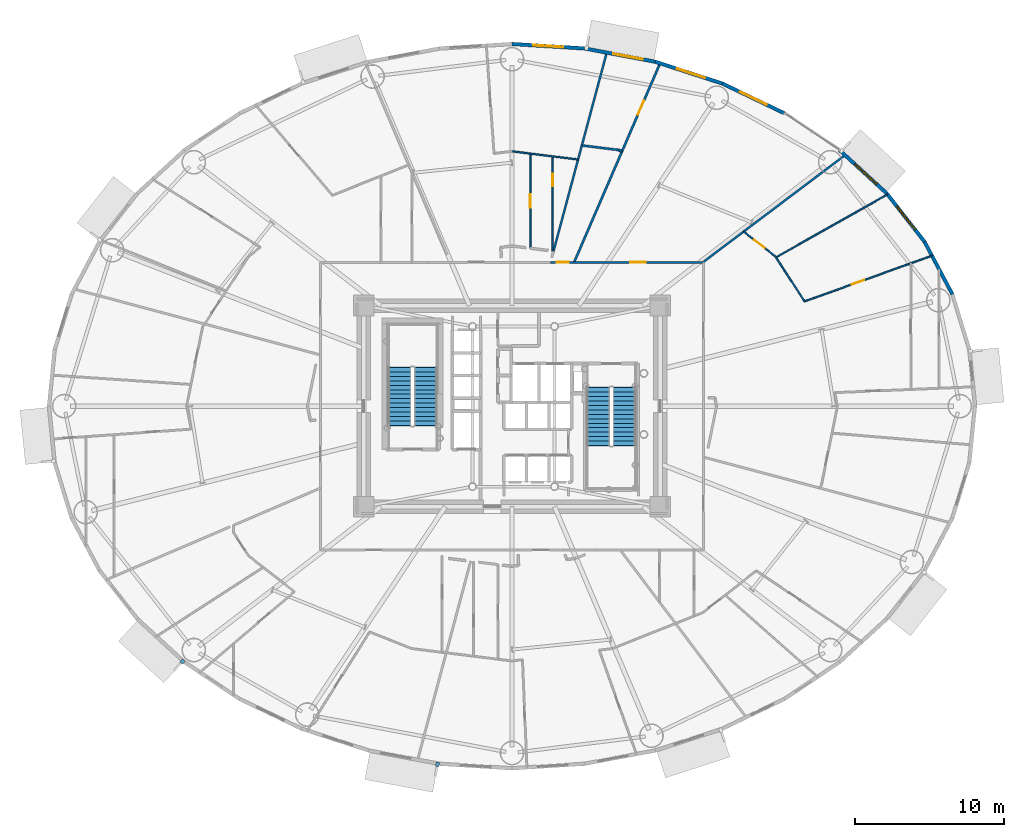
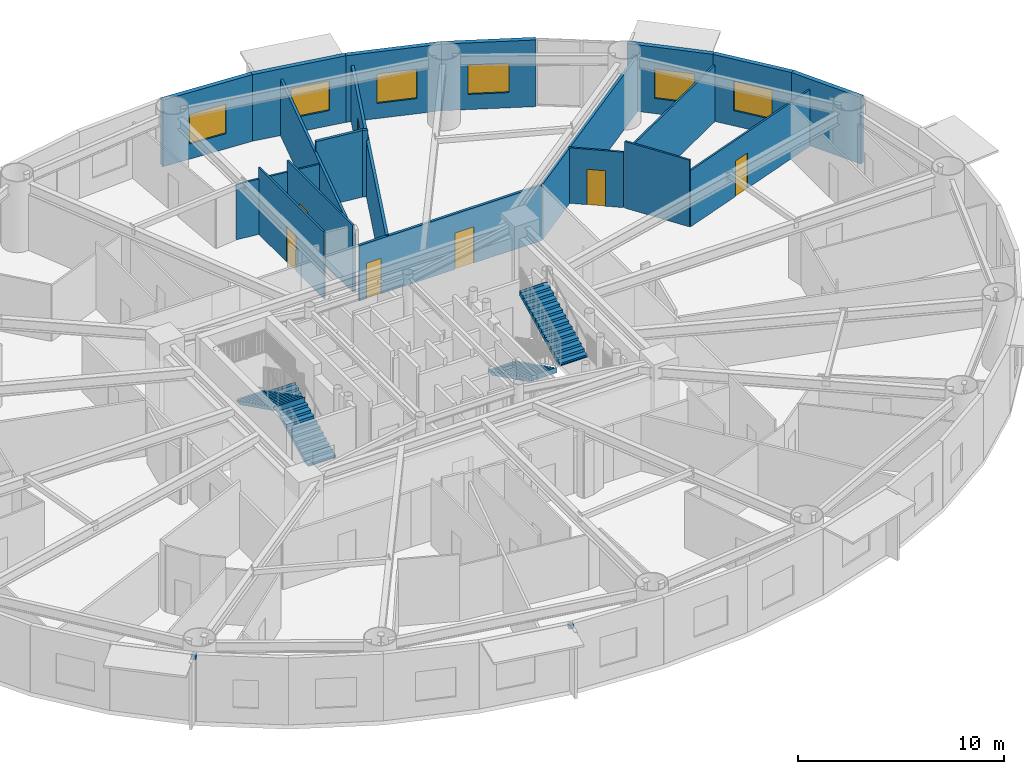
# One storey, part 16 of 24: 20 walls, 7 doors, 6 windows, 4 stair flights, 2 discrete accessories, 13 openings, 2 elements without a shape of their own.
"""IFC4 building model written with IfcOpenShell, lengths in metres."""

from ifc_helpers import new_model, si_unit, direction, frame, frame_2d, origin, origin_2d, place, context, subcontext, project, spatial, polyline, rectangle, outline, extrude, source, transform, mapped, material, layer, layer_set, type_object, element, fill, aggregate, save


model = new_model("IFC4")

# Units and contexts
model_context = context("Model", 3, precision=1e-05, world=origin(), true_north=direction((0.0, 1.0)))
body_context = subcontext(model_context, "Body", "Model", "MODEL_VIEW")
ifc_project = project(units=[si_unit("LENGTHUNIT", "METRE"), si_unit("AREAUNIT", "SQUARE_METRE"), si_unit("VOLUMEUNIT", "CUBIC_METRE"), si_unit("PLANEANGLEUNIT", "RADIAN"), si_unit("MASSUNIT", "GRAM", prefix="KILO")], contexts=[model_context])

# Site, building, storey
site_placement = place(None, origin())
site = spatial("IfcSite", under=ifc_project, at=site_placement, CompositionType="ELEMENT")
building_placement = place(site_placement, origin())
building = spatial("IfcBuilding", under=site, at=building_placement, Name="Linh Dai School and Residence Tower", CompositionType="ELEMENT")
storey_placement = place(building_placement, frame((0.0, 0.0, 74.39990234375)))
storey = spatial("IfcBuildingStorey", under=building, at=storey_placement, Name="L17", CompositionType="ELEMENT", Elevation=74.39990234375)

# Wall
ifc_material_1 = material(Name="Precast Concrete B45 (C35/45)", Category="concrete")
ifc_layer_1 = layer(ifc_material_1, 0.239990234375)
ifc_layer_set_1 = layer_set([ifc_layer_1], Name="Precast Concrete B45 (C35/45)")
wall_type_1 = type_object("IfcWallType", Name="EW-TC-240", PredefinedType="SOLIDWALL", material=ifc_layer_set_1)
wall_1_placement = place(storey_placement, frame((63.694580078125, 38.022705078125, 0.0), z_axis=(0.0, 0.0, 1.0), x_axis=(0.467662443071, -0.883907144072, 0.0)))
element("IfcWall", 1, at=wall_1_placement, inside=storey, type_object=wall_type_1, Name="L17 Terracotta Exterior Wall 03", PredefinedType="SOLIDWALL", context=body_context, shape_type="SweptSolid", body=[
    extrude(rectangle(XDim=3.983642578125, YDim=0.239990234375, at=frame_2d((1.99169921875, 0.0))), origin(), (0.0, 0.0, 1.0), 3.9501953125),
])

# Wall, opening, window
wall_2_placement = place(storey_placement, frame((61.149658203125, 41.274658203125, 0.0), z_axis=(0.0, 0.0, 1.0), x_axis=(0.616295508253, -0.787514981767, 0.0)))
wall_2 = element("IfcWall", 2, at=wall_2_placement, inside=storey, type_object=wall_type_1, Name="L17 Terracotta Exterior Wall 04", PredefinedType="SOLIDWALL", context=body_context, shape_type="SweptSolid", body=[
    extrude(rectangle(XDim=4.12939453125, YDim=0.239990234375, at=frame_2d((2.064697265625, 0.0))), origin(), (0.0, 0.0, 1.0), 3.9501953125),
])
opening_1_placement = place(wall_2_placement, frame((1.091796875, 0.0, 0.89990234375)))
opening_1 = element("IfcOpeningElement", 3, at=opening_1_placement, cuts=wall_2, Name="Opening W1", PredefinedType="OPENING", context=body_context, shape_type="SweptSolid", body=[
    extrude(rectangle(XDim=2.0, YDim=1.75, at=origin_2d()), frame((1.0, 0.1298828125, 0.875), z_axis=(0.0, -1.0, 0.0), x_axis=(1.0, 0.0, 0.0)), (0.0, 0.0, 1.0), 0.260009765625),
])
ifc_material_2 = material(Name="Double Low-E Insulated Glazing", Category="glass")
window_type = type_object("IfcWindowType", Name="WN-RES-2000x1750", PartitioningType="DOUBLE_PANEL_VERTICAL", PredefinedType="WINDOW", material=ifc_material_2)
shared_shape_1 = source(origin(), body_context, "Body", "SweptSolid", [
    extrude(rectangle(XDim=2.0, YDim=1.75, at=origin_2d()), frame((1.0, 0.030029296875, 0.875), z_axis=(0.0, -1.0, 0.0), x_axis=(1.0, 0.0, 0.0)), (0.0, 0.0, 1.0), 0.06005859375),
])
window_1_placement = place(opening_1_placement, origin())
window_1 = element("IfcWindow", 4, at=window_1_placement, inside=storey, type_object=window_type, Name="L17 Exterior Window 04.1", OverallHeight=1.75, OverallWidth=2.0, PartitioningType="DOUBLE_PANEL_VERTICAL", PredefinedType="WINDOW", context=body_context, shape_type="MappedRepresentation", body=[
    mapped(shared_shape_1, transform((0.0, 0.0, 0.0), x_axis=(1.0, 0.0, 0.0), y_axis=(0.0, 1.0, 0.0), z_axis=(0.0, 0.0, 1.0), scale=1.0)),
])
fill(opening_1, window_1)

wall_3_placement = place(storey_placement, frame((57.984619140625, 44.17626953125, 0.0), z_axis=(0.0, 0.0, 1.0), x_axis=(0.737116376281, -0.67576582321, 0.0)))
wall_3 = element("IfcWall", 5, at=wall_3_placement, inside=storey, type_object=wall_type_1, Name="L17 Terracotta Exterior Wall 05", PredefinedType="SOLIDWALL", context=body_context, shape_type="SweptSolid", body=[
    extrude(rectangle(XDim=4.293701171875, YDim=0.239990234375, at=frame_2d((2.14697265625, 0.0))), origin(), (0.0, 0.0, 1.0), 3.9501953125),
])
opening_2_placement = place(wall_3_placement, frame((1.3779296875, 0.0, 0.89990234375)))
opening_2 = element("IfcOpeningElement", 6, at=opening_2_placement, cuts=wall_3, Name="Opening W1", PredefinedType="OPENING", context=body_context, shape_type="SweptSolid", body=[
    extrude(rectangle(XDim=2.0, YDim=1.75, at=origin_2d()), frame((1.0, 0.1298828125, 0.875), z_axis=(0.0, -1.0, 0.0), x_axis=(1.0, 0.0, 0.0)), (0.0, 0.0, 1.0), 0.260009765625),
])
window_2_placement = place(opening_2_placement, origin())
window_2 = element("IfcWindow", 7, at=window_2_placement, inside=storey, type_object=window_type, Name="L17 Exterior Window 05.1", OverallHeight=1.75, OverallWidth=2.0, PartitioningType="DOUBLE_PANEL_VERTICAL", PredefinedType="WINDOW", context=body_context, shape_type="MappedRepresentation", body=[
    mapped(shared_shape_1, transform((0.0, 0.0, 0.0), x_axis=(1.0, 0.0, 0.0), y_axis=(0.0, 1.0, 0.0), z_axis=(0.0, 0.0, 1.0), scale=1.0)),
])
fill(opening_2, window_2)

wall_4_placement = place(storey_placement, frame((50.1181640625, 48.651123046875, 0.0), z_axis=(0.0, 0.0, 1.0), x_axis=(0.901601503137, -0.432567601123, 0.0)))
wall_4 = element("IfcWall", 8, at=wall_4_placement, inside=storey, type_object=wall_type_1, Name="L17 Terracotta Exterior Wall 07", PredefinedType="SOLIDWALL", context=body_context, shape_type="SweptSolid", body=[
    extrude(rectangle(XDim=4.61279296875, YDim=0.239990234375, at=frame_2d((2.306396484375, 0.0))), origin(), (0.0, 0.0, 1.0), 3.9501953125),
])
opening_3_placement = place(wall_4_placement, frame((1.306396484375, 0.0, 0.89990234375)))
opening_3 = element("IfcOpeningElement", 9, at=opening_3_placement, cuts=wall_4, Name="Opening W1", PredefinedType="OPENING", context=body_context, shape_type="SweptSolid", body=[
    extrude(rectangle(XDim=2.0, YDim=1.75, at=origin_2d()), frame((1.0, 0.1298828125, 0.875), z_axis=(0.0, -1.0, 0.0), x_axis=(1.0, 0.0, 0.0)), (0.0, 0.0, 1.0), 0.260009765625),
])
window_3_placement = place(opening_3_placement, origin())
window_3 = element("IfcWindow", 10, at=window_3_placement, inside=storey, type_object=window_type, Name="L17 Exterior Window 07.1", OverallHeight=1.75, OverallWidth=2.0, PartitioningType="DOUBLE_PANEL_VERTICAL", PredefinedType="WINDOW", context=body_context, shape_type="MappedRepresentation", body=[
    mapped(shared_shape_1, transform((0.0, 0.0, 0.0), x_axis=(1.0, 0.0, 0.0), y_axis=(0.0, 1.0, 0.0), z_axis=(0.0, 0.0, 1.0), scale=1.0)),
])
fill(opening_3, window_3)

wall_5_placement = place(storey_placement, frame((45.610595703125, 50.11328125, 0.0), z_axis=(0.0, 0.0, 1.0), x_axis=(0.951207699013, -0.308551313946, 0.0)))
wall_5 = element("IfcWall", 11, at=wall_5_placement, inside=storey, type_object=wall_type_1, Name="L17 Terracotta Exterior Wall 08", PredefinedType="SOLIDWALL", context=body_context, shape_type="SweptSolid", body=[
    extrude(rectangle(XDim=4.73876953125, YDim=0.239990234375, at=frame_2d((2.369384765625, 0.0))), origin(), (0.0, 0.0, 1.0), 3.9501953125),
])
opening_4_placement = place(wall_5_placement, frame((1.531005859375, 0.0, 0.89990234375)))
opening_4 = element("IfcOpeningElement", 12, at=opening_4_placement, cuts=wall_5, Name="Opening W1", PredefinedType="OPENING", context=body_context, shape_type="SweptSolid", body=[
    extrude(rectangle(XDim=2.0, YDim=1.75, at=origin_2d()), frame((1.0, 0.1298828125, 0.875), z_axis=(0.0, -1.0, 0.0), x_axis=(1.0, 0.0, 0.0)), (0.0, 0.0, 1.0), 0.260009765625),
])
window_4_placement = place(opening_4_placement, origin())
window_4 = element("IfcWindow", 13, at=window_4_placement, inside=storey, type_object=window_type, Name="L17 Exterior Window 08.1", OverallHeight=1.75, OverallWidth=2.0, PartitioningType="DOUBLE_PANEL_VERTICAL", PredefinedType="WINDOW", context=body_context, shape_type="MappedRepresentation", body=[
    mapped(shared_shape_1, transform((0.0, 0.0, 0.0), x_axis=(1.0, 0.0, 0.0), y_axis=(0.0, 1.0, 0.0), z_axis=(0.0, 0.0, 1.0), scale=1.0)),
])
fill(opening_4, window_4)

wall_6_placement = place(storey_placement, frame((40.865478515625, 51.005126953125, 0.0), z_axis=(0.0, 0.0, 1.0), x_axis=(0.982791952378, -0.184715939598, 0.0)))
wall_6 = element("IfcWall", 14, at=wall_6_placement, inside=storey, type_object=wall_type_1, Name="L17 Terracotta Exterior Wall 09", PredefinedType="SOLIDWALL", context=body_context, shape_type="SweptSolid", body=[
    extrude(rectangle(XDim=4.828125, YDim=0.239990234375, at=frame_2d((2.4140625, 0.0))), origin(), (0.0, 0.0, 1.0), 3.9501953125),
])
opening_5_placement = place(wall_6_placement, frame((1.974365234375, 0.0, 0.89990234375)))
opening_5 = element("IfcOpeningElement", 15, at=opening_5_placement, cuts=wall_6, Name="Opening W1", PredefinedType="OPENING", context=body_context, shape_type="SweptSolid", body=[
    extrude(rectangle(XDim=2.0, YDim=1.75, at=origin_2d()), frame((1.0, 0.1298828125, 0.875), z_axis=(0.0, -1.0, 0.0), x_axis=(1.0, 0.0, 0.0)), (0.0, 0.0, 1.0), 0.260009765625),
])
window_5_placement = place(opening_5_placement, origin())
window_5 = element("IfcWindow", 16, at=window_5_placement, inside=storey, type_object=window_type, Name="L17 Exterior Window 09.1", OverallHeight=1.75, OverallWidth=2.0, PartitioningType="DOUBLE_PANEL_VERTICAL", PredefinedType="WINDOW", context=body_context, shape_type="MappedRepresentation", body=[
    mapped(shared_shape_1, transform((0.0, 0.0, 0.0), x_axis=(1.0, 0.0, 0.0), y_axis=(0.0, 1.0, 0.0), z_axis=(0.0, 0.0, 1.0), scale=1.0)),
])
fill(opening_5, window_5)

wall_7_placement = place(storey_placement, frame((36.0, 51.304931640625, 0.0), z_axis=(0.0, 0.0, 1.0), x_axis=(0.998106954071, -0.061502099433, 0.0)))
wall_7 = element("IfcWall", 17, at=wall_7_placement, inside=storey, type_object=wall_type_1, Name="L17 Terracotta Exterior Wall 10", PredefinedType="SOLIDWALL", context=body_context, shape_type="SweptSolid", body=[
    extrude(rectangle(XDim=4.874755859375, YDim=0.239990234375, at=frame_2d((2.4375, 0.0))), origin(), (0.0, 0.0, 1.0), 3.9501953125),
])
opening_6_placement = place(wall_7_placement, frame((1.437255859375, 0.0, 0.89990234375)))
opening_6 = element("IfcOpeningElement", 18, at=opening_6_placement, cuts=wall_7, Name="Opening W1", PredefinedType="OPENING", context=body_context, shape_type="SweptSolid", body=[
    extrude(rectangle(XDim=2.0, YDim=1.75, at=origin_2d()), frame((1.0, 0.1298828125, 0.875), z_axis=(0.0, -1.0, 0.0), x_axis=(1.0, 0.0, 0.0)), (0.0, 0.0, 1.0), 0.260009765625),
])
window_6_placement = place(opening_6_placement, origin())
window_6 = element("IfcWindow", 19, at=window_6_placement, inside=storey, type_object=window_type, Name="L17 Exterior Window 10.1", OverallHeight=1.75, OverallWidth=2.0, PartitioningType="DOUBLE_PANEL_VERTICAL", PredefinedType="WINDOW", context=body_context, shape_type="MappedRepresentation", body=[
    mapped(shared_shape_1, transform((0.0, 0.0, 0.0), x_axis=(1.0, 0.0, 0.0), y_axis=(0.0, 1.0, 0.0), z_axis=(0.0, 0.0, 1.0), scale=1.0)),
])
fill(opening_6, window_6)

# Wall, openings, doors
ifc_material_3 = material(Name="Autoclaved Aerated Concrete Blockwork", Category="masonry")
ifc_layer_2 = layer(ifc_material_3, 0.135009765625)
ifc_layer_set_2 = layer_set([ifc_layer_2], Name="Autoclaved Aerated Concrete Blockwork")
wall_type_2 = type_object("IfcWallType", Name="IW-CORR-135-EI90", PredefinedType="PARTITIONING", material=ifc_layer_set_2)
wall_8_placement = place(storey_placement, frame((38.585693359375, 36.64990234375, 0.0), z_axis=(0.0, 0.0, 1.0), x_axis=(1.0, 0.0, 0.0)))
wall_8 = element("IfcWall", 20, at=wall_8_placement, inside=storey, type_object=wall_type_2, Name="L17 Interior Partition Wall 072", PredefinedType="PARTITIONING", context=body_context, shape_type="SweptSolid", body=[
    extrude(rectangle(XDim=10.22021484375, YDim=0.135009765625, at=frame_2d((5.110107421875, 0.0))), origin(), (0.0, 0.0, 1.0), 3.28515625),
])
opening_7_placement = place(wall_8_placement, frame((5.356201171875, 0.0, 0.0)))
opening_7 = element("IfcOpeningElement", 21, at=opening_7_placement, cuts=wall_8, Name="Opening D04", PredefinedType="OPENING", context=body_context, shape_type="SweptSolid", body=[
    extrude(rectangle(XDim=1.050048828125, YDim=2.14990234375, at=origin_2d()), frame((0.52490234375, 0.07763671875, 1.074951171875), z_axis=(0.0, -1.0, 0.0), x_axis=(1.0, 0.0, 0.0)), (0.0, 0.0, 1.0), 0.155029296875),
])
opening_8_placement = place(wall_8_placement, frame((0.401123046875, 0.0, 0.0)))
opening_8 = element("IfcOpeningElement", 22, at=opening_8_placement, cuts=wall_8, Name="Opening D06", PredefinedType="OPENING", context=body_context, shape_type="SweptSolid", body=[
    extrude(rectangle(XDim=0.820068359375, YDim=2.10009765625, at=origin_2d()), frame((0.41015625, 0.07763671875, 1.050048828125), z_axis=(0.0, -1.0, 0.0), x_axis=(1.0, 0.0, 0.0)), (0.0, 0.0, 1.0), 0.155029296875),
])
ifc_material_4 = material(Name="Acoustic Vision-Panel Timber Classroom Door", Category="wood")
door_type_1 = type_object("IfcDoorType", Name="DR-SCH-1050x2150-FD60S", OperationType="NOTDEFINED", PredefinedType="DOOR", material=ifc_material_4)
shared_shape_2 = source(origin(), body_context, "Body", "SweptSolid", [
    extrude(rectangle(XDim=1.050048828125, YDim=2.14990234375, at=origin_2d()), frame((0.52490234375, 0.02490234375, 1.074951171875), z_axis=(0.0, -1.0, 0.0), x_axis=(1.0, 0.0, 0.0)), (0.0, 0.0, 1.0), 0.050048828125),
])
door_1_placement = place(opening_7_placement, origin())
door_1 = element("IfcDoor", 23, at=door_1_placement, inside=storey, type_object=door_type_1, Name="L17 Co-Working Business Office Door", OperationType="SINGLE_SWING_LEFT", OverallHeight=2.14990234375, OverallWidth=1.050048828125, PredefinedType="DOOR", context=body_context, shape_type="MappedRepresentation", body=[
    mapped(shared_shape_2, transform((0.0, 0.0, 0.0), x_axis=(1.0, 0.0, 0.0), y_axis=(0.0, 1.0, 0.0), z_axis=(0.0, 0.0, 1.0), scale=1.0)),
])
fill(opening_7, door_1)
ifc_material_5 = material(Name="Moisture-Resistant Timber Bathroom Door", Category="wood")
door_type_2 = type_object("IfcDoorType", Name="DR-WET-820x2100", OperationType="NOTDEFINED", PredefinedType="DOOR", material=ifc_material_5)
shared_shape_3 = source(origin(), body_context, "Body", "SweptSolid", [
    extrude(rectangle(XDim=0.820068359375, YDim=2.10009765625, at=origin_2d()), frame((0.41015625, 0.02490234375, 1.050048828125), z_axis=(0.0, -1.0, 0.0), x_axis=(1.0, 0.0, 0.0)), (0.0, 0.0, 1.0), 0.050048828125),
])
door_2_placement = place(opening_8_placement, origin())
door_2 = element("IfcDoor", 24, at=door_2_placement, inside=storey, type_object=door_type_2, Name="L17 Amenity Accessible WC Door", OperationType="SINGLE_SWING_RIGHT", OverallHeight=2.10009765625, OverallWidth=0.820068359375, PredefinedType="DOOR", context=body_context, shape_type="MappedRepresentation", body=[
    mapped(shared_shape_3, transform((0.0, 0.0, 0.0), x_axis=(1.0, 0.0, 0.0), y_axis=(0.0, 1.0, 0.0), z_axis=(0.0, 0.0, 1.0), scale=1.0)),
])
fill(opening_8, door_2)

# Walls
wall_9_placement = place(storey_placement, frame((38.78759765625, 37.403564453125, 0.0), z_axis=(0.0, 0.0, 1.0), x_axis=(0.258823359021, 0.965924670368, 0.0)))
element("IfcWall", 25, at=wall_9_placement, inside=storey, type_object=wall_type_2, Name="L17 Interior Partition Wall 074", PredefinedType="PARTITIONING", context=body_context, shape_type="SweptSolid", body=[
    extrude(rectangle(XDim=13.79638671875, YDim=0.135009765625, at=frame_2d((6.898193359375, 0.0))), origin(), (0.0, 0.0, 1.0), 3.335205078125),
])
wall_10_placement = place(storey_placement, frame((48.85009765625, 36.68310546875, 0.0), z_axis=(0.0, 0.0, 1.0), x_axis=(0.798631551047, 0.601820276888, 0.0)))
element("IfcWall", 26, at=wall_10_placement, inside=storey, type_object=wall_type_2, Name="L17 Interior Partition Wall 096", PredefinedType="PARTITIONING", context=body_context, shape_type="SweptSolid", body=[
    extrude(rectangle(XDim=11.89990234375, YDim=0.135009765625, at=frame_2d((5.949951171875, 0.0))), origin(), (0.0, 0.0, 1.0), 3.28515625),
])

# Wall, opening, door
ifc_layer_3 = layer(ifc_material_3, 0.14990234375)
ifc_layer_set_3 = layer_set([ifc_layer_3], Name="Autoclaved Aerated Concrete Blockwork")
wall_type_3 = type_object("IfcWallType", Name="IW-SCH-150-EI60", PredefinedType="PARTITIONING", material=ifc_layer_set_3)
wall_11_placement = place(storey_placement, frame((40.16796875, 36.64990234375, 0.0), z_axis=(0.0, 0.0, 1.0), x_axis=(0.396494814434, 0.918036961199, 0.0)))
wall_11 = element("IfcWall", 27, at=wall_11_placement, inside=storey, type_object=wall_type_3, Name="L17 Interior Partition Wall 080", PredefinedType="PARTITIONING", context=body_context, shape_type="SweptSolid", body=[
    extrude(rectangle(XDim=14.554931640625, YDim=0.14990234375, at=frame_2d((7.27734375, 0.0))), origin(), (0.0, 0.0, 1.0), 3.335205078125),
])
opening_9_placement = place(wall_11_placement, frame((10.786865234375, 0.0, 0.0)))
opening_9 = element("IfcOpeningElement", 28, at=opening_9_placement, cuts=wall_11, Name="Opening D04", PredefinedType="OPENING", context=body_context, shape_type="SweptSolid", body=[
    extrude(rectangle(XDim=1.050048828125, YDim=2.14990234375, at=origin_2d()), frame((0.52490234375, 0.0849609375, 1.074951171875), z_axis=(0.0, -1.0, 0.0), x_axis=(1.0, 0.0, 0.0)), (0.0, 0.0, 1.0), 0.169921875),
])
door_3_placement = place(opening_9_placement, origin())
door_3 = element("IfcDoor", 29, at=door_3_placement, inside=storey, type_object=door_type_1, Name="L17 Amenity Tea Salon Door", OperationType="SINGLE_SWING_LEFT", OverallHeight=2.14990234375, OverallWidth=1.050048828125, PredefinedType="DOOR", context=body_context, shape_type="MappedRepresentation", body=[
    mapped(shared_shape_2, transform((0.0, 0.0, 0.0), x_axis=(1.0, 0.0, 0.0), y_axis=(0.0, 1.0, 0.0), z_axis=(0.0, 0.0, 1.0), scale=1.0)),
])
fill(opening_9, door_3)

# Walls
wall_12_placement = place(storey_placement, frame((40.688232421875, 44.496826171875, 0.0), z_axis=(0.0, 0.0, 1.0), x_axis=(0.992393246318, -0.123108263989, 0.0)))
element("IfcWall", 30, at=wall_12_placement, inside=storey, type_object=wall_type_3, Name="L17 Interior Partition Wall 081", PredefinedType="PARTITIONING", context=body_context, shape_type="SweptSolid", body=[
    extrude(rectangle(XDim=2.465087890625, YDim=0.14990234375, at=frame_2d((1.232421875, 0.0))), origin(), (0.0, 0.0, 1.0), 3.9501953125),
])
wall_13_placement = place(storey_placement, frame((43.134521484375, 44.193359375, 0.0), z_axis=(0.0, 0.0, 1.0), x_axis=(0.928853768355, -0.370446591309, 0.0)))
element("IfcWall", 31, at=wall_13_placement, inside=storey, type_object=wall_type_3, Name="L17 Interior Partition Wall 088", PredefinedType="PARTITIONING", context=body_context, shape_type="SweptSolid", body=[
    extrude(rectangle(XDim=0.267578125, YDim=0.14990234375, at=frame_2d((0.1337890625, 0.0))), origin(), (0.0, 0.0, 1.0), 3.9501953125),
])
ifc_material_6 = material(Name="Gypsum Plasterboard Acoustic Stud Partition", Category="masonry")
ifc_layer_4 = layer(ifc_material_6, 0.10009765625)
ifc_layer_set_4 = layer_set([ifc_layer_4], Name="Gypsum Plasterboard Acoustic Stud Partition")
wall_type_4 = type_object("IfcWallType", Name="IW-UNIT-100", PredefinedType="PARTITIONING", material=ifc_layer_set_4)
wall_14_placement = place(storey_placement, frame((36.0, 44.10107421875, 0.0), z_axis=(0.0, 0.0, 1.0), x_axis=(0.992395933878, -0.123086597249, 0.0)))
element("IfcWall", 32, at=wall_14_placement, inside=storey, type_object=wall_type_4, Name="L17 Interior Partition Wall 062", PredefinedType="PARTITIONING", context=body_context, shape_type="SweptSolid", body=[
    extrude(rectangle(XDim=4.46875, YDim=0.10009765625, at=frame_2d((2.234375, 0.0))), origin(), (0.0, 0.0, 1.0), 3.28515625),
])

# Wall, opening, door
wall_15_placement = place(storey_placement, frame((37.22509765625, 37.59716796875, 0.0), z_axis=(0.0, 0.0, 1.0), x_axis=(0.0, 1.0, 0.0)))
wall_15 = element("IfcWall", 33, at=wall_15_placement, inside=storey, type_object=wall_type_4, Name="L17 Interior Partition Wall 067", PredefinedType="PARTITIONING", context=body_context, shape_type="SweptSolid", body=[
    extrude(rectangle(XDim=6.351806640625, YDim=0.10009765625, at=frame_2d((3.17578125, 0.0))), origin(), (0.0, 0.0, 1.0), 3.9501953125),
])
opening_10_placement = place(wall_15_placement, frame((2.725830078125, 0.0, 0.0)))
opening_10 = element("IfcOpeningElement", 34, at=opening_10_placement, cuts=wall_15, Name="Opening D05", PredefinedType="OPENING", context=body_context, shape_type="SweptSolid", body=[
    extrude(rectangle(XDim=0.89990234375, YDim=2.10009765625, at=origin_2d()), frame((0.449951171875, 0.06005859375, 1.050048828125), z_axis=(0.0, -1.0, 0.0), x_axis=(1.0, 0.0, 0.0)), (0.0, 0.0, 1.0), 0.1201171875),
])
ifc_material_7 = material(Name="Engineered Timber Internal Door", Category="wood")
door_type_3 = type_object("IfcDoorType", Name="DR-INT-900x2100", OperationType="NOTDEFINED", PredefinedType="DOOR", material=ifc_material_7)
shared_shape_4 = source(origin(), body_context, "Body", "SweptSolid", [
    extrude(rectangle(XDim=0.89990234375, YDim=2.10009765625, at=origin_2d()), frame((0.449951171875, 0.02490234375, 1.050048828125), z_axis=(0.0, -1.0, 0.0), x_axis=(1.0, 0.0, 0.0)), (0.0, 0.0, 1.0), 0.050048828125),
])
door_4_placement = place(opening_10_placement, origin())
door_4 = element("IfcDoor", 35, at=door_4_placement, inside=storey, type_object=door_type_3, Name="L17 Apartment U1701 Kitchen Door", OperationType="SINGLE_SWING_LEFT", OverallHeight=2.10009765625, OverallWidth=0.89990234375, PredefinedType="DOOR", context=body_context, shape_type="MappedRepresentation", body=[
    mapped(shared_shape_4, transform((0.0, 0.0, 0.0), x_axis=(1.0, 0.0, 0.0), y_axis=(0.0, 1.0, 0.0), z_axis=(0.0, 0.0, 1.0), scale=1.0)),
])
fill(opening_10, door_4)

wall_16_placement = place(storey_placement, frame((38.7275390625, 37.410888671875, 0.0), z_axis=(0.0, 0.0, 1.0), x_axis=(0.0, 1.0, 0.0)))
wall_16 = element("IfcWall", 36, at=wall_16_placement, inside=storey, type_object=wall_type_4, Name="L17 Interior Partition Wall 073", PredefinedType="PARTITIONING", context=body_context, shape_type="SweptSolid", body=[
    extrude(rectangle(XDim=6.351806640625, YDim=0.10009765625, at=frame_2d((3.17578125, 0.0))), origin(), (0.0, 0.0, 1.0), 3.9501953125),
])
opening_11_placement = place(wall_16_placement, frame((4.353515625, 0.0, 0.0)))
opening_11 = element("IfcOpeningElement", 37, at=opening_11_placement, cuts=wall_16, Name="Opening D06", PredefinedType="OPENING", context=body_context, shape_type="SweptSolid", body=[
    extrude(rectangle(XDim=0.820068359375, YDim=2.10009765625, at=origin_2d()), frame((0.41015625, 0.06005859375, 1.050048828125), z_axis=(0.0, -1.0, 0.0), x_axis=(1.0, 0.0, 0.0)), (0.0, 0.0, 1.0), 0.1201171875),
])
door_5_placement = place(opening_11_placement, origin())
door_5 = element("IfcDoor", 38, at=door_5_placement, inside=storey, type_object=door_type_2, Name="L17 Apartment U1701 Bathroom 1 Door", OperationType="SINGLE_SWING_RIGHT", OverallHeight=2.10009765625, OverallWidth=0.820068359375, PredefinedType="DOOR", context=body_context, shape_type="MappedRepresentation", body=[
    mapped(shared_shape_3, transform((0.0, 0.0, 0.0), x_axis=(1.0, 0.0, 0.0), y_axis=(0.0, 1.0, 0.0), z_axis=(0.0, 0.0, 1.0), scale=1.0)),
])
fill(opening_11, door_5)

wall_17_placement = place(storey_placement, frame((51.54541015625, 38.71435546875, 0.0), z_axis=(0.0, 0.0, 1.0), x_axis=(0.787378908715, -0.616469345637, 0.0)))
wall_17 = element("IfcWall", 39, at=wall_17_placement, inside=storey, type_object=wall_type_4, Name="L17 Interior Partition Wall 099", PredefinedType="PARTITIONING", context=body_context, shape_type="SweptSolid", body=[
    extrude(rectangle(XDim=2.697021484375, YDim=0.10009765625, at=frame_2d((1.3486328125, 0.0))), origin(), (0.0, 0.0, 1.0), 3.28515625),
])
opening_12_placement = place(wall_17_placement, frame((0.8984375, 0.0, 0.0)))
opening_12 = element("IfcOpeningElement", 40, at=opening_12_placement, cuts=wall_17, Name="Opening D05", PredefinedType="OPENING", context=body_context, shape_type="SweptSolid", body=[
    extrude(rectangle(XDim=0.89990234375, YDim=2.10009765625, at=origin_2d()), frame((0.449951171875, 0.06005859375, 1.050048828125), z_axis=(0.0, -1.0, 0.0), x_axis=(1.0, 0.0, 0.0)), (0.0, 0.0, 1.0), 0.1201171875),
])
door_6_placement = place(opening_12_placement, origin())
door_6 = element("IfcDoor", 41, at=door_6_placement, inside=storey, type_object=door_type_3, Name="L17 Apartment U1707 Study Door", OperationType="SINGLE_SWING_RIGHT", OverallHeight=2.10009765625, OverallWidth=0.89990234375, PredefinedType="DOOR", context=body_context, shape_type="MappedRepresentation", body=[
    mapped(shared_shape_4, transform((0.0, 0.0, 0.0), x_axis=(1.0, 0.0, 0.0), y_axis=(0.0, 1.0, 0.0), z_axis=(0.0, 0.0, 1.0), scale=1.0)),
])
fill(opening_12, door_6)

# Walls
wall_18_placement = place(storey_placement, frame((53.7119140625, 36.985595703125, 0.0), z_axis=(0.0, 0.0, 1.0), x_axis=(0.545414193743, -0.838166664372, 0.0)))
element("IfcWall", 42, at=wall_18_placement, inside=storey, type_object=wall_type_4, Name="L17 Interior Partition Wall 101", PredefinedType="PARTITIONING", context=body_context, shape_type="SweptSolid", body=[
    extrude(rectangle(XDim=3.52587890625, YDim=0.10009765625, at=frame_2d((1.762939453125, 0.0))), origin(), (0.0, 0.0, 1.0), 3.9501953125),
])
wall_19_placement = place(storey_placement, frame((53.7119140625, 36.985595703125, 0.0), z_axis=(0.0, 0.0, 1.0), x_axis=(0.871096144904, 0.491112519016, 0.0)))
element("IfcWall", 43, at=wall_19_placement, inside=storey, type_object=wall_type_4, Name="L17 Interior Partition Wall 102", PredefinedType="PARTITIONING", context=body_context, shape_type="SweptSolid", body=[
    extrude(rectangle(XDim=8.60302734375, YDim=0.10009765625, at=frame_2d((4.301513671875, 0.0))), origin(), (0.0, 0.0, 1.0), 3.335205078125),
])

# Wall, opening, door
wall_20_placement = place(storey_placement, frame((55.635009765625, 34.0302734375, 0.0), z_axis=(0.0, 0.0, 1.0), x_axis=(0.941479076549, 0.337071429255, 0.0)))
wall_20 = element("IfcWall", 44, at=wall_20_placement, inside=storey, type_object=wall_type_4, Name="L17 Interior Partition Wall 103", PredefinedType="PARTITIONING", context=body_context, shape_type="SweptSolid", body=[
    extrude(rectangle(XDim=9.088623046875, YDim=0.10009765625, at=frame_2d((4.54443359375, 0.0))), origin(), (0.0, 0.0, 1.0), 3.335205078125),
])
opening_13_placement = place(wall_20_placement, frame((3.357177734375, 0.0, 0.0)))
opening_13 = element("IfcOpeningElement", 45, at=opening_13_placement, cuts=wall_20, Name="Opening D05", PredefinedType="OPENING", context=body_context, shape_type="SweptSolid", body=[
    extrude(rectangle(XDim=0.89990234375, YDim=2.10009765625, at=origin_2d()), frame((0.449951171875, 0.06005859375, 1.050048828125), z_axis=(0.0, -1.0, 0.0), x_axis=(1.0, 0.0, 0.0)), (0.0, 0.0, 1.0), 0.1201171875),
])
door_7_placement = place(opening_13_placement, origin())
door_7 = element("IfcDoor", 46, at=door_7_placement, inside=storey, type_object=door_type_3, Name="L17 Apartment U1707 Principal Bedroom 2 Door", OperationType="SINGLE_SWING_LEFT", OverallHeight=2.10009765625, OverallWidth=0.89990234375, PredefinedType="DOOR", context=body_context, shape_type="MappedRepresentation", body=[
    mapped(shared_shape_4, transform((0.0, 0.0, 0.0), x_axis=(1.0, 0.0, 0.0), y_axis=(0.0, 1.0, 0.0), z_axis=(0.0, 0.0, 1.0), scale=1.0)),
])
fill(opening_13, door_7)

# Stair, stair flights
ifc_material_8 = material(Name="Concrete B45 (C35/45)", Category="concrete")
stair_type = type_object("IfcStairType", Name="ST-DOG-1550-R1500", PredefinedType="HALF_TURN_STAIR", material=ifc_material_8)
stair_1_placement = place(storey_placement, origin())
stair_1 = element("IfcStair", 47, at=stair_1_placement, inside=storey, type_object=stair_type, Name="L17 Core Smokeproof Exit Stair ST1", PredefinedType="HALF_TURN_STAIR")
stair_flight_type = type_object("IfcStairFlightType", Name="STF-STR-1550-R1500", PredefinedType="STRAIGHT", material=ifc_material_8)
shared_shape_5 = source(origin(), body_context, "Body", "SweptSolid", [
    extrude(outline(polyline([(-0.02490234375, 0.0), (-0.02490234375, 0.06005859375), (0.0, 0.06005859375), (0.0, 0.14990234375), (0.300048828125, 0.14990234375), (0.300048828125, 0.300048828125), (0.60009765625, 0.300048828125), (0.60009765625, 0.449951171875), (0.89990234375, 0.449951171875), (0.89990234375, 0.60009765625), (1.199951171875, 0.60009765625), (1.199951171875, 0.75), (1.5, 0.75), (1.5, 0.89990234375), (1.800048828125, 0.89990234375), (1.800048828125, 1.050048828125), (2.10009765625, 1.050048828125), (2.10009765625, 1.199951171875), (2.39990234375, 1.199951171875), (2.39990234375, 1.35009765625), (2.699951171875, 1.35009765625), (2.699951171875, 1.5), (3.0, 1.5), (3.0, 1.64990234375), (3.300048828125, 1.64990234375), (3.300048828125, 1.800048828125), (3.60009765625, 1.800048828125), (3.60009765625, 1.949951171875), (3.89990234375, 1.949951171875), (3.89990234375, 2.10009765625), (3.925048828125, 2.10009765625), (3.925048828125, 1.782470703125), (3.89990234375, 1.782470703125), (0.335205078125, 0.0), (-0.02490234375, 0.0)])), frame((0.0, 0.77490234375, 0.0), z_axis=(0.0, -1.0, 0.0), x_axis=(1.0, 0.0, 0.0)), (0.0, 0.0, 1.0), 1.550048828125),
])
stair_flight_1_placement = place(storey_placement, frame((30.205078125, 25.699951171875, 0.0), z_axis=(0.0, 0.0, 1.0), x_axis=(0.0, 1.0, 0.0)))
stair_flight_1 = element("IfcStairFlight", 48, at=stair_flight_1_placement, type_object=stair_flight_type, Name="ST1 flight 1", NumberOfRisers=14, NumberOfTreads=13, PredefinedType="STRAIGHT", RiserHeight=0.15, TreadLength=0.3, context=body_context, shape_type="MappedRepresentation", body=[
    mapped(shared_shape_5, transform((0.0, 0.0, 0.0), x_axis=(1.0, 0.0, 0.0), y_axis=(0.0, 1.0, 0.0), z_axis=(0.0, 0.0, 1.0), scale=1.0)),
])
stair_flight_2_placement = place(storey_placement, frame((28.455078125, 29.60009765625, 2.10009765625), z_axis=(0.0, 0.0, 1.0), x_axis=(0.0, -1.0, 0.0)))
stair_flight_2 = element("IfcStairFlight", 49, at=stair_flight_2_placement, type_object=stair_flight_type, Name="ST1 flight 2", NumberOfRisers=14, NumberOfTreads=13, PredefinedType="STRAIGHT", RiserHeight=0.15, TreadLength=0.3, context=body_context, shape_type="MappedRepresentation", body=[
    mapped(shared_shape_5, transform((0.0, 0.0, 0.0), x_axis=(1.0, 0.0, 0.0), y_axis=(0.0, 1.0, 0.0), z_axis=(0.0, 0.0, 1.0), scale=1.0)),
])
aggregate(stair_1, [stair_flight_1, stair_flight_2])

stair_2_placement = place(storey_placement, origin())
stair_2 = element("IfcStair", 50, at=stair_2_placement, inside=storey, type_object=stair_type, Name="L17 Core Smokeproof Exit Stair ST2", PredefinedType="HALF_TURN_STAIR")
stair_flight_3_placement = place(storey_placement, frame((41.794921875, 28.25, 0.0), z_axis=(0.0, 0.0, 1.0), x_axis=(0.0, -1.0, 0.0)))
stair_flight_3 = element("IfcStairFlight", 51, at=stair_flight_3_placement, type_object=stair_flight_type, Name="ST2 flight 1", NumberOfRisers=14, NumberOfTreads=13, PredefinedType="STRAIGHT", RiserHeight=0.15, TreadLength=0.3, context=body_context, shape_type="MappedRepresentation", body=[
    mapped(shared_shape_5, transform((0.0, 0.0, 0.0), x_axis=(1.0, 0.0, 0.0), y_axis=(0.0, 1.0, 0.0), z_axis=(0.0, 0.0, 1.0), scale=1.0)),
])
stair_flight_4_placement = place(storey_placement, frame((43.544921875, 24.35009765625, 2.10009765625), z_axis=(0.0, 0.0, 1.0), x_axis=(0.0, 1.0, 0.0)))
stair_flight_4 = element("IfcStairFlight", 52, at=stair_flight_4_placement, type_object=stair_flight_type, Name="ST2 flight 2", NumberOfRisers=14, NumberOfTreads=13, PredefinedType="STRAIGHT", RiserHeight=0.15, TreadLength=0.3, context=body_context, shape_type="MappedRepresentation", body=[
    mapped(shared_shape_5, transform((0.0, 0.0, 0.0), x_axis=(1.0, 0.0, 0.0), y_axis=(0.0, 1.0, 0.0), z_axis=(0.0, 0.0, 1.0), scale=1.0)),
])
aggregate(stair_2, [stair_flight_3, stair_flight_4])

# Discrete accessories
ifc_material_9 = material(Name="Structural Steel S355JR", Category="steel")
discrete_accessory_type = type_object("IfcDiscreteAccessoryType", Name="ACC-BRK-S355", PredefinedType="BRACKET", material=ifc_material_9)
shared_shape_6 = source(origin(), body_context, "Body", "SweptSolid", [
    extrude(rectangle(XDim=0.280029296875, YDim=0.239990234375, at=origin_2d()), origin(), (0.0, 0.0, 1.0), 0.219970703125),
])
for number, where, z_axis, x_axis, name in (
    (53, (13.88623046875, 9.860595703125, 3.7001953125), (0.0, 0.0, 1.0), (-0.675769237268, -0.737113246362, 0.0), "L17 Facade Frame Anchor Bracket 25"),
    (54, (31.005615234375, 2.9580078125, 3.7001953125), (0.0, 0.0, 1.0), (-0.184747948944, -0.982785935675, 0.0), "L17 Facade Frame Anchor Bracket 29"),
):
    element("IfcDiscreteAccessory", number, at=place(storey_placement, frame(where, z_axis=z_axis, x_axis=x_axis)), inside=storey, type_object=discrete_accessory_type, Name=name, PredefinedType="BRACKET", context=body_context, shape_type="MappedRepresentation", body=[
        mapped(shared_shape_6, transform((0.0, 0.0, 0.0), x_axis=(1.0, 0.0, 0.0), y_axis=(0.0, 1.0, 0.0), z_axis=(0.0, 0.0, 1.0), scale=1.0)),
    ])

save(model, "model.ifc")
